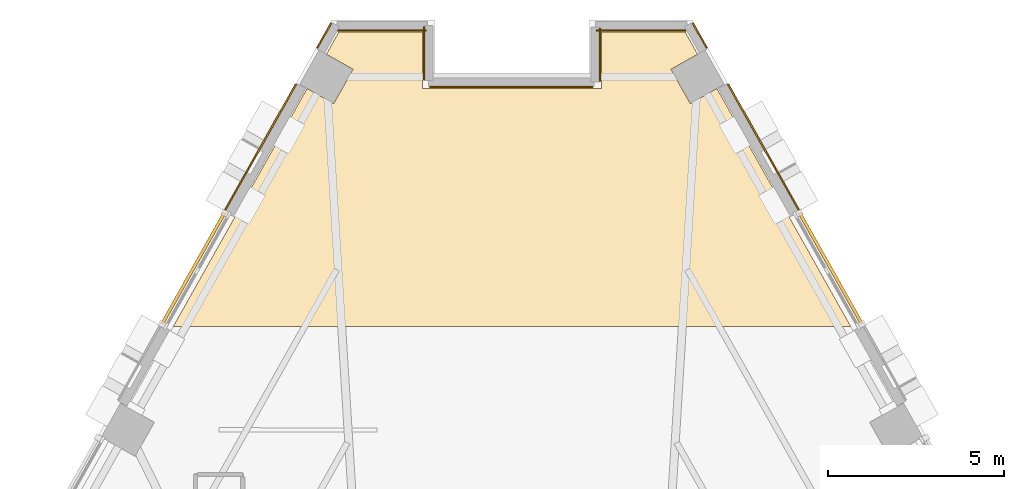
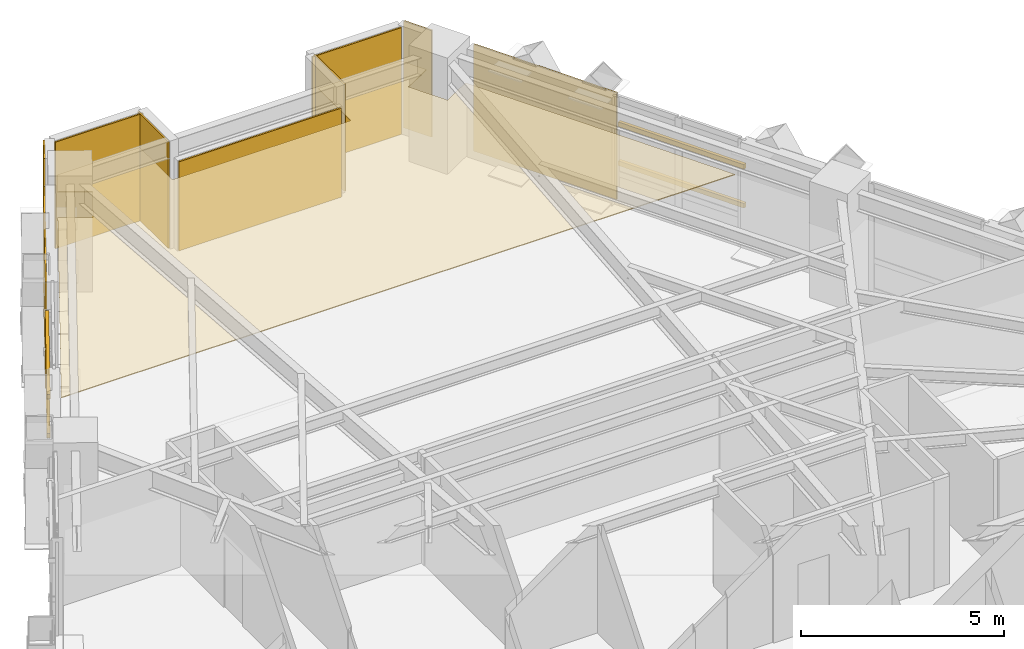
# One storey, part 14 of 14: 10 coverings, 4 shading devices.
"""IFC4 building model written with IfcOpenShell, lengths in metres."""

import ifcopenshell
import ifcopenshell.guid

model = None  # the IFC model being written
_history = None  # IfcOwnerHistory: only IFC2X3 demands one
_inside = {}  # id of a spatial element -> (the spatial element, [elements in it])
_under = {}  # id of a project, library or spatial element -> (it, [spatial elements below it])
_declared = {}  # id of a project -> (the project, [libraries it declares])
_typed = {}  # id of a type object -> (the type object, [elements of that type])
_made_of = {}  # id of a material, layer set ... -> (it, [elements and type objects made of it])


def new_model(schema):
    """Start an empty IFC model of exactly this schema.

    Asked for "IFC4X3", IfcOpenShell would pick the latest addendum, in which some entities
    have other attributes; the version numbers below select the first issue.
    IFC2X3 requires an IfcOwnerHistory on every rooted entity: one is made here for all.
    """
    global model, _history
    if schema == "IFC4X3":
        model = ifcopenshell.file(schema_version=(4, 3, 0, 0))
    else:
        model = ifcopenshell.file(schema=schema)
    _inside.clear()
    _under.clear()
    _declared.clear()
    _typed.clear()
    _made_of.clear()
    _history = None
    if model.schema == "IFC2X3":
        org = make("IfcOrganization", Name="unknown")
        user = make(
            "IfcPersonAndOrganization",
            ThePerson=make("IfcPerson", FamilyName="unknown"),
            TheOrganization=org,
        )
        app = make(
            "IfcApplication",
            ApplicationDeveloper=org,
            Version="unknown",
            ApplicationFullName="unknown",
            ApplicationIdentifier="unknown",
        )
        _history = make(
            "IfcOwnerHistory",
            OwningUser=user,
            OwningApplication=app,
            ChangeAction="ADDED",
            CreationDate=0,
        )
    return model


def make(cls, **values):
    """One entity of the class cls with the attributes given. An attribute that is None is left unset."""
    return model.create_entity(
        cls, **{name: value for name, value in values.items() if value is not None}
    )


def rooted(cls, **values):
    """An entity with a GlobalId (a new one), such as an element, a storey or a relation."""
    return make(cls, GlobalId=ifcopenshell.guid.new(), OwnerHistory=_history, **values)


def si_unit(unit_type, name, prefix=None):
    """IfcSIUnit, for example si_unit("LENGTHUNIT", "METRE", prefix="MILLI")."""
    return make("IfcSIUnit", UnitType=unit_type, Prefix=prefix, Name=name)


def assignment(units):
    """IfcUnitAssignment: the units of a project."""
    return None if units is None else make("IfcUnitAssignment", Units=units)


def point(xyz):
    """IfcCartesianPoint."""
    return None if xyz is None else make("IfcCartesianPoint", Coordinates=xyz)


def direction(xyz):
    """IfcDirection."""
    return None if xyz is None else make("IfcDirection", DirectionRatios=xyz)


def frame(location, z_axis=None, x_axis=None):
    """IfcAxis2Placement3D, a coordinate frame: its origin and axes. An axis left out is left unset."""
    return make(
        "IfcAxis2Placement3D",
        Location=point(location),
        Axis=direction(z_axis),
        RefDirection=direction(x_axis),
    )


def frame_2d(location, x_axis=None):
    """IfcAxis2Placement2D, a coordinate frame in the plane: its origin and x axis."""
    return make(
        "IfcAxis2Placement2D", Location=point(location), RefDirection=direction(x_axis)
    )


def origin():
    """The frame at (0, 0, 0) with its axes left unset."""
    return frame((0.0, 0.0, 0.0))


def origin_2d():
    """The frame at (0, 0) in the plane with its x axis left unset."""
    return frame_2d((0.0, 0.0))


def place(relative_to, where):
    """IfcLocalPlacement: puts the frame where relative to a parent placement (None: the world)."""
    return make(
        "IfcLocalPlacement", PlacementRelTo=relative_to, RelativePlacement=where
    )


def context(
    kind, dimensions, precision=None, world=None, true_north=None, identifier=None
):
    """IfcGeometricRepresentationContext, for example the 3D "Model" context."""
    return make(
        "IfcGeometricRepresentationContext",
        ContextIdentifier=identifier,
        ContextType=kind,
        CoordinateSpaceDimension=dimensions,
        Precision=precision,
        WorldCoordinateSystem=world,
        TrueNorth=true_north,
    )


def subcontext(parent, identifier, kind, view, scale=None):
    """IfcGeometricRepresentationSubContext, for example "Body" below "Model"."""
    return make(
        "IfcGeometricRepresentationSubContext",
        ContextIdentifier=identifier,
        ContextType=kind,
        ParentContext=parent,
        TargetScale=scale,
        TargetView=view,
    )


def project(units=None, contexts=None):
    """IfcProject with its units and contexts."""
    return rooted(
        "IfcProject",
        Name="project",
        RepresentationContexts=contexts,
        UnitsInContext=assignment(units),
    )


def spatial(cls, under=None, at=None, **own):
    """A site, building, storey or space (cls), placed at a placement, below another one or the project."""
    s = rooted(cls, ObjectPlacement=at, **own)
    if under is not None:
        _under.setdefault(under.id(), (under, []))[1].append(s)
    return s


def polyline(points):
    """IfcPolyline through the points."""
    return make("IfcPolyline", Points=[point(p) for p in points])


def profile(cls, at=None, kind="AREA", **sizes):
    """A parametric profile (cls). Its sizes go by their IFC names, for example OverallWidth=200.0."""
    return make(cls, ProfileType=kind, Position=at, **sizes)


def rectangle(**sizes):
    """IfcRectangleProfileDef."""
    return profile("IfcRectangleProfileDef", **sizes)


def outline(outer, holes=None, kind="AREA"):
    """IfcArbitraryClosedProfileDef: a profile drawn as a closed curve; with holes, ...WithVoids."""
    if holes is None:
        return make("IfcArbitraryClosedProfileDef", ProfileType=kind, OuterCurve=outer)
    return make(
        "IfcArbitraryProfileDefWithVoids",
        ProfileType=kind,
        OuterCurve=outer,
        InnerCurves=holes,
    )


def extrude(swept, where, along, depth):
    """IfcExtrudedAreaSolid: the profile swept, set in the frame where, extruded along a direction by depth."""
    return make(
        "IfcExtrudedAreaSolid",
        SweptArea=swept,
        Position=where,
        ExtrudedDirection=direction(along),
        Depth=depth,
    )


def shape(context_of_items, identifier, shape_type, items):
    """IfcShapeRepresentation: the items that make up one representation, for example the "Body"."""
    return make(
        "IfcShapeRepresentation",
        ContextOfItems=context_of_items,
        RepresentationIdentifier=identifier,
        RepresentationType=shape_type,
        Items=items,
    )


def material(Name=None, Category=None):
    """IfcMaterial."""
    return make("IfcMaterial", Name=Name, Category=Category)


def layer(
    of_material, thickness, ventilated=None, Name=None, Category=None, Priority=None
):
    """IfcMaterialLayer: one layer of a wall or slab, of a material (None: an air gap)."""
    return make(
        "IfcMaterialLayer",
        Material=of_material,
        LayerThickness=thickness,
        IsVentilated=ventilated,
        Name=Name,
        Category=Category,
        Priority=Priority,
    )


def layer_set(layers, Name=None):
    """IfcMaterialLayerSet."""
    return make("IfcMaterialLayerSet", MaterialLayers=layers, LayerSetName=Name)


def material_profile(
    of_material, cross_section, Name=None, Category=None, Priority=None
):
    """IfcMaterialProfile: a cross section and its material."""
    return make(
        "IfcMaterialProfile",
        Name=Name,
        Material=of_material,
        Profile=cross_section,
        Priority=Priority,
        Category=Category,
    )


def profile_set(profiles, Name=None, composite=None):
    """IfcMaterialProfileSet."""
    return make(
        "IfcMaterialProfileSet",
        Name=Name,
        MaterialProfiles=profiles,
        CompositeProfile=composite,
    )


def made_of(thing, what):
    """Note that an element or type object is made of a material, layer set ...; save() writes the relation."""
    if what is not None:
        _made_of.setdefault(what.id(), (what, []))[1].append(thing)
    return thing


def type_object(cls, material=None, **own):
    """A type object (cls), such as IfcWallType, which elements share."""
    return made_of(rooted(cls, **own), material)


def element(
    cls,
    number,
    at=None,
    inside=None,
    cuts=None,
    type_object=None,
    material=None,
    context=None,
    identifier="Body",
    shape_type=None,
    held_by="IfcProductDefinitionShape",
    body=None,
    shapes=None,
    **own,
):
    """One element of the class cls, such as IfcWall. Its Tag is "e" and its number.

    at: its placement. inside: the storey or other place that contains it. cuts: it is an
    opening in that element (IfcRelVoidsElement). A single representation is given by context,
    identifier, shape_type and body (its items); several are given by shapes. held_by: the class
    of the entity that holds the representations. save() writes the other relations.
    """
    e = rooted(cls, Tag="e%d" % number, ObjectPlacement=at, **own)
    if body is not None:
        shapes = [shape(context, identifier, shape_type, body)]
    if shapes is not None:
        e.Representation = make(held_by, Representations=shapes)
    if inside is not None:
        _inside.setdefault(inside.id(), (inside, []))[1].append(e)
    if cuts is not None:
        rooted(
            "IfcRelVoidsElement", RelatingBuildingElement=cuts, RelatedOpeningElement=e
        )
    if type_object is not None:
        _typed.setdefault(type_object.id(), (type_object, []))[1].append(e)
    return made_of(e, material)


def aggregate(whole, parts):
    """IfcRelAggregates: a whole, such as a stair, and the parts it consists of."""
    return rooted("IfcRelAggregates", RelatingObject=whole, RelatedObjects=parts)


def save(model, path):
    """Write the relations noted so far, then the file.

    IfcRelAggregates (storeys below a building ...), IfcRelContainedInSpatialStructure (elements
    in a storey), IfcRelDefinesByType, IfcRelAssociatesMaterial and IfcRelDeclares: one each for
    every whole, place, type object, material and project.
    """
    for whole, parts in _under.values():
        aggregate(whole, parts)
    for where, things in _inside.values():
        rooted(
            "IfcRelContainedInSpatialStructure",
            RelatedElements=things,
            RelatingStructure=where,
        )
    for kind, things in _typed.values():
        rooted("IfcRelDefinesByType", RelatedObjects=things, RelatingType=kind)
    for what, things in _made_of.values():
        rooted("IfcRelAssociatesMaterial", RelatedObjects=things, RelatingMaterial=what)
    for by, libraries in _declared.values():
        rooted("IfcRelDeclares", RelatingContext=by, RelatedDefinitions=libraries)
    model.write(path)


model = new_model("IFC4")

# Units and contexts
model_context = context("Model", 3, precision=1e-05, world=origin(), true_north=direction((0.0, 1.0)))
body_context = subcontext(model_context, "Body", "Model", "MODEL_VIEW")
ifc_project = project(units=[si_unit("LENGTHUNIT", "METRE"), si_unit("AREAUNIT", "SQUARE_METRE"), si_unit("VOLUMEUNIT", "CUBIC_METRE"), si_unit("PLANEANGLEUNIT", "RADIAN"), si_unit("MASSUNIT", "GRAM", prefix="KILO")], contexts=[model_context])

# Site, building, storey
site_placement = place(None, origin())
site = spatial("IfcSite", under=ifc_project, at=site_placement, CompositionType="ELEMENT")
building_placement = place(site_placement, origin())
building = spatial("IfcBuilding", under=site, at=building_placement, Name="Quenlor Broadcast Tower", CompositionType="ELEMENT")
storey_placement = place(building_placement, frame((0.0, 0.0, 123.0)))
storey = spatial("IfcBuildingStorey", under=building, at=storey_placement, Name="L33", CompositionType="ELEMENT", Elevation=123.0)

# Covering
ifc_material_1 = material(Name="Acoustic Mineral Fibre Board", Category="other")
ifc_layer_1 = layer(ifc_material_1, 0.02490234375)
ifc_layer_set_1 = layer_set([ifc_layer_1], Name="Acoustic Perforated Mineral Tile Ceiling 25")
covering_type_1 = type_object("IfcCoveringType", Name="Acoustic Perforated Mineral Tile Ceiling 25", PredefinedType="CEILING", material=ifc_layer_set_1)
covering_1_placement = place(storey_placement, frame((0.0, 0.0, 2.22509765625)))
element("IfcCovering", 1, at=covering_1_placement, inside=storey, type_object=covering_type_1, Name="L33 Acoustic Ceiling L33-29-2", PredefinedType="CEILING", context=body_context, shape_type="SweptSolid", body=[
    extrude(outline(polyline([(-5.805908203125, 19.384765625), (-5.049560546875, 18.959228515625), (-4.50244140625, 19.931884765625), (-5.2587890625, 20.357421875), (-4.904296875, 20.988037109375), (-3.830078125, 20.988037109375), (-2.5400390625, 20.988037109375), (-2.5400390625, 19.387939453125), (2.5400390625, 19.387939453125), (2.5400390625, 20.988037109375), (4.570068359375, 20.988037109375), (4.904296875, 20.988037109375), (5.2587890625, 20.357421875), (4.50244140625, 19.931884765625), (5.049560546875, 18.959228515625), (5.805908203125, 19.384765625), (9.59423828125, 12.64990234375), (-9.59423828125, 12.64990234375), (-5.805908203125, 19.384765625)])), origin(), (0.0, 0.0, 1.0), 0.02490234375),
])

# Shading devices
ifc_material_2 = material(Name="Architectural Terracotta Ceramic", Category="masonry")
ifc_material_profile = material_profile(ifc_material_2, rectangle(XDim=0.090087890625, YDim=0.139892578125, at=origin_2d()))
ifc_profile_set = profile_set([ifc_material_profile], Name="Architectural Terracotta Ceramic BAG90x140")
shading_device_type = type_object("IfcShadingDeviceType", Name="Copper Terracotta Baguette Solar Screen 140", PredefinedType="USERDEFINED", material=ifc_profile_set)
for number, where, z_axis, x_axis, name in (
    (2, (8.14697265625, 15.861572265625, 1.169921875), (0.490235552811, -0.871589985464, 0.0), (0.871589985464, 0.490235552811, 0.0), "L33 Terracotta Baguette Screen 1"),
    (3, (8.14697265625, 15.861572265625, 2.340087890625), (0.490235552811, -0.871589985464, 0.0), (0.871589985464, 0.490235552811, 0.0), "L33 Terracotta Baguette Screen 2"),
    (4, (-9.916748046875, 12.715087890625, 1.169921875), (0.490235552811, 0.871589985464, 0.0), (-0.871589985464, 0.490235552811, 0.0), "L33 Terracotta Baguette Screen 1"),
    (5, (-9.916748046875, 12.715087890625, 2.340087890625), (0.490235552811, 0.871589985464, 0.0), (-0.871589985464, 0.490235552811, 0.0), "L33 Terracotta Baguette Screen 2"),
):
    element("IfcShadingDevice", number, at=place(storey_placement, frame(where, z_axis=z_axis, x_axis=x_axis)), inside=storey, type_object=shading_device_type, Name=name, ObjectType="BAGUETTE", PredefinedType="USERDEFINED", context=body_context, shape_type="SweptSolid", body=[
        extrude(rectangle(XDim=0.090087890625, YDim=0.139892578125, at=origin_2d()), origin(), (0.0, 0.0, 1.0), 3.610107421875),
    ])

# Coverings
ifc_material_3 = material(Name="Architectural Terracotta Ceramic", Category="masonry")
ifc_layer_2 = layer(ifc_material_3, 0.044921875)
ifc_layer_set_2 = layer_set([ifc_layer_2], Name="Fluted Terracotta Rainscreen Cladding Panel")
covering_type_2 = type_object("IfcCoveringType", Name="Fluted Terracotta Rainscreen Cladding Panel", PredefinedType="CLADDING", material=ifc_layer_set_2)
covering_2_placement = place(storey_placement, frame((0.0, 0.0, 0.02001953125)))
element("IfcCovering", 6, at=covering_2_placement, inside=storey, type_object=covering_type_2, Name="L33 Terracotta Rainscreen Cladding L33-SHD-NES0", PredefinedType="CLADDING", context=body_context, shape_type="SweptSolid", body=[
    extrude(outline(polyline([(5.105224609375, 21.22607421875), (5.5, 20.524169921875), (5.539306640625, 20.546142578125), (5.144287109375, 21.248046875), (5.105224609375, 21.22607421875)])), origin(), (0.0, 0.0, 1.0), 3.2099609375),
])
covering_3_placement = place(storey_placement, frame((0.0, 0.0, 0.02001953125)))
element("IfcCovering", 7, at=covering_3_placement, inside=storey, type_object=covering_type_2, Name="L33 Terracotta Rainscreen Cladding L33-NEA-SP1", PredefinedType="CLADDING", context=body_context, shape_type="SweptSolid", body=[
    extrude(outline(polyline([(6.10107421875, 19.496826171875), (8.11279296875, 15.919921875), (8.152099609375, 15.94189453125), (6.14013671875, 19.518798828125), (6.10107421875, 19.496826171875)])), origin(), (0.0, 0.0, 1.0), 3.2099609375),
])
covering_4_placement = place(storey_placement, frame((0.0, 0.0, 0.02001953125)))
element("IfcCovering", 8, at=covering_4_placement, inside=storey, type_object=covering_type_2, Name="L33 Terracotta Rainscreen Cladding L33-SHD-NWS1", PredefinedType="CLADDING", context=body_context, shape_type="SweptSolid", body=[
    extrude(outline(polyline([(-5.5, 20.524169921875), (-5.105224609375, 21.22607421875), (-5.144287109375, 21.248046875), (-5.539306640625, 20.546142578125), (-5.5, 20.524169921875)])), origin(), (0.0, 0.0, 1.0), 3.2099609375),
])
covering_5_placement = place(storey_placement, frame((0.0, 0.0, 0.02001953125)))
element("IfcCovering", 9, at=covering_5_placement, inside=storey, type_object=covering_type_2, Name="L33 Terracotta Rainscreen Cladding L33-NWC-SP2", PredefinedType="CLADDING", context=body_context, shape_type="SweptSolid", body=[
    extrude(outline(polyline([(-8.11279296875, 15.919921875), (-6.10107421875, 19.496826171875), (-6.14013671875, 19.518798828125), (-8.152099609375, 15.94189453125), (-8.11279296875, 15.919921875)])), origin(), (0.0, 0.0, 1.0), 3.2099609375),
])
covering_6_placement = place(storey_placement, frame((0.0, 0.0, 0.02001953125)))
element("IfcCovering", 10, at=covering_6_placement, inside=storey, type_object=covering_type_2, Name="L33 Terracotta Rainscreen Cladding L33-CNR-06", PredefinedType="CLADDING", context=body_context, shape_type="SweptSolid", body=[
    extrude(outline(polyline([(4.929443359375, 21.055908203125), (2.389892578125, 21.055908203125), (2.389892578125, 21.010986328125), (4.929443359375, 21.010986328125), (4.929443359375, 21.055908203125)])), origin(), (0.0, 0.0, 1.0), 3.2099609375),
])
covering_7_placement = place(storey_placement, frame((0.0, 0.0, 0.02001953125)))
element("IfcCovering", 11, at=covering_7_placement, inside=storey, type_object=covering_type_2, Name="L33 Terracotta Rainscreen Cladding L33-CNR-07", PredefinedType="CLADDING", context=body_context, shape_type="SweptSolid", body=[
    extrude(outline(polyline([(2.471923828125, 21.097900390625), (2.471923828125, 19.597900390625), (2.51708984375, 19.597900390625), (2.51708984375, 21.097900390625), (2.471923828125, 21.097900390625)])), origin(), (0.0, 0.0, 1.0), 3.2099609375),
])
covering_8_placement = place(storey_placement, frame((0.0, 0.0, 0.02001953125)))
element("IfcCovering", 12, at=covering_8_placement, inside=storey, type_object=covering_type_2, Name="L33 Terracotta Rainscreen Cladding L33-CNR-08", PredefinedType="CLADDING", context=body_context, shape_type="SweptSolid", body=[
    extrude(outline(polyline([(2.2900390625, 19.4560546875), (-2.330078125, 19.4560546875), (-2.330078125, 19.410888671875), (2.2900390625, 19.410888671875), (2.2900390625, 19.4560546875)])), origin(), (0.0, 0.0, 1.0), 2.681884765625),
])
covering_9_placement = place(storey_placement, frame((0.0, 0.0, 0.02001953125)))
element("IfcCovering", 13, at=covering_9_placement, inside=storey, type_object=covering_type_2, Name="L33 Terracotta Rainscreen Cladding L33-CNR-09", PredefinedType="CLADDING", context=body_context, shape_type="SweptSolid", body=[
    extrude(outline(polyline([(-2.471923828125, 19.637939453125), (-2.471923828125, 21.137939453125), (-2.51708984375, 21.137939453125), (-2.51708984375, 19.637939453125), (-2.471923828125, 19.637939453125)])), origin(), (0.0, 0.0, 1.0), 3.2099609375),
])
covering_10_placement = place(storey_placement, frame((0.0, 0.0, 0.02001953125)))
element("IfcCovering", 14, at=covering_10_placement, inside=storey, type_object=covering_type_2, Name="L33 Terracotta Rainscreen Cladding L33-CNR-10", PredefinedType="CLADDING", context=body_context, shape_type="SweptSolid", body=[
    extrude(outline(polyline([(-2.429931640625, 21.055908203125), (-4.929443359375, 21.055908203125), (-4.929443359375, 21.010986328125), (-2.429931640625, 21.010986328125), (-2.429931640625, 21.055908203125)])), origin(), (0.0, 0.0, 1.0), 3.2099609375),
])

save(model, "model.ifc")
